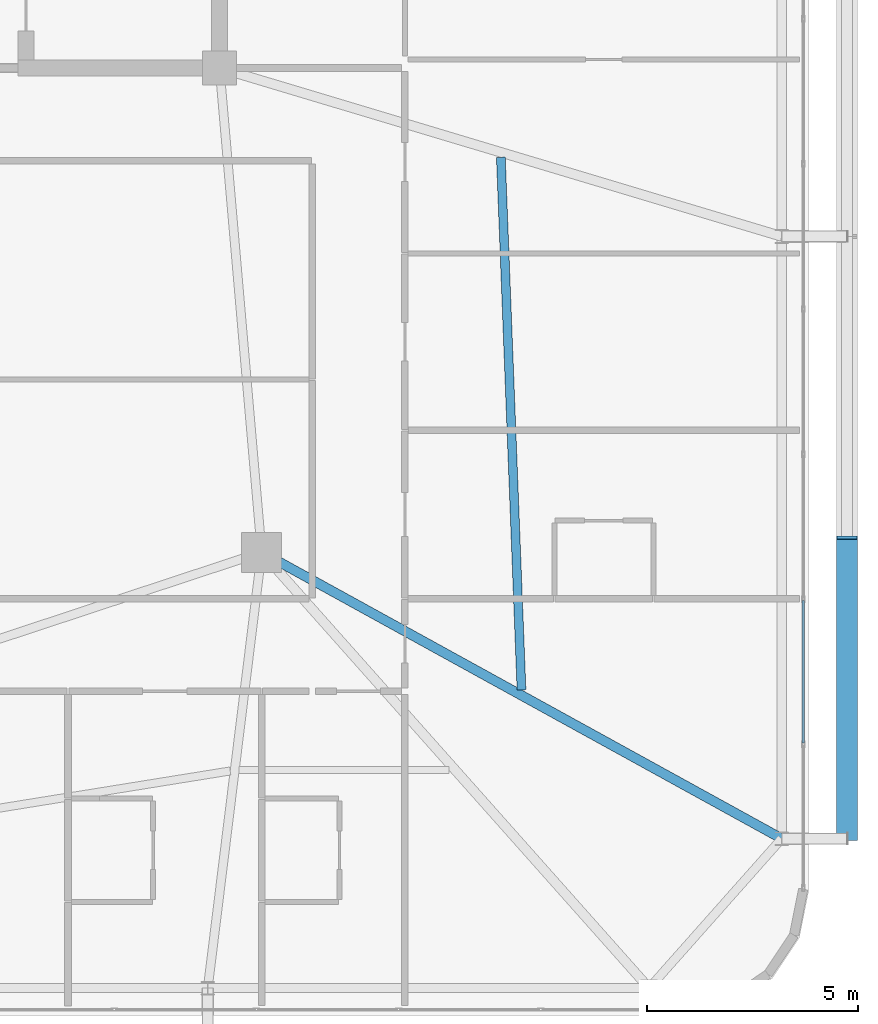
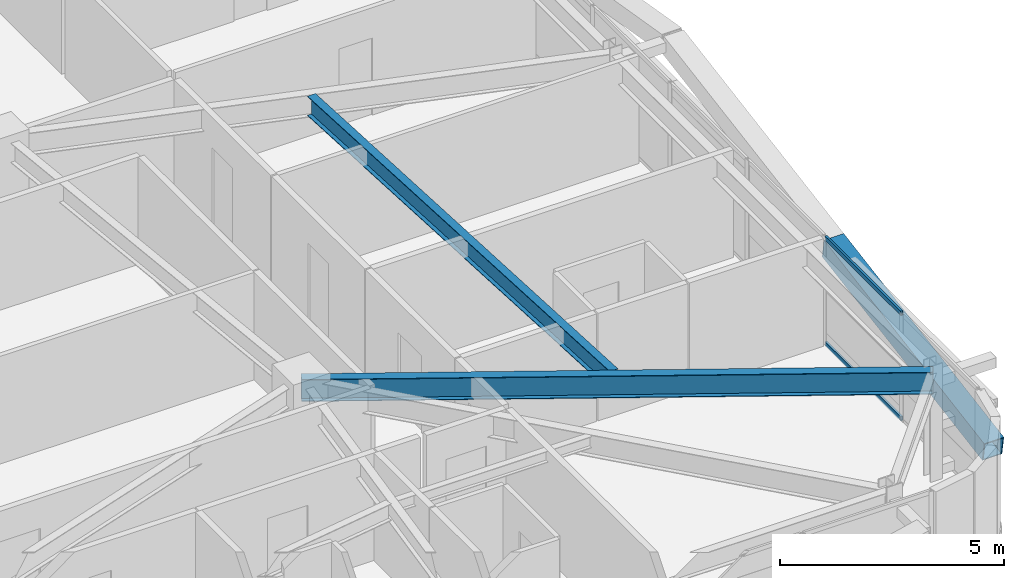
# One storey, part 25 of 59: 3 members, 2 beams, 1 element without a shape of its own.
"""IFC4 building model written with IfcOpenShell, lengths in metres."""

from ifc_helpers import new_model, si_unit, direction, frame, origin, origin_2d, place, context, subcontext, project, spatial, hollow_rectangle, i_section, extrude, source, transform, mapped, material, layer, layer_set, material_profile, profile_set, type_object, element, aggregate, save


model = new_model("IFC4")

# Units and contexts
model_context = context("Model", 3, precision=1e-05, world=origin(), true_north=direction((0.0, 1.0)))
body_context = subcontext(model_context, "Body", "Model", "MODEL_VIEW")
ifc_project = project(units=[si_unit("LENGTHUNIT", "METRE"), si_unit("AREAUNIT", "SQUARE_METRE"), si_unit("VOLUMEUNIT", "CUBIC_METRE"), si_unit("PLANEANGLEUNIT", "RADIAN"), si_unit("MASSUNIT", "GRAM", prefix="KILO")], contexts=[model_context])

# Site, building, storey
site_placement = place(None, origin())
site = spatial("IfcSite", under=ifc_project, at=site_placement, CompositionType="ELEMENT")
building_placement = place(site_placement, origin())
building = spatial("IfcBuilding", under=site, at=building_placement, Name="Taldren Reach Tower", CompositionType="ELEMENT")
storey_placement = place(building_placement, frame((0.0, 0.0, 23.10009765625)))
storey = spatial("IfcBuildingStorey", under=building, at=storey_placement, Name="L06", CompositionType="ELEMENT", Elevation=23.10009765625)

# Beams
ifc_material_1 = material(Name="Steel Gr 350 (350PLUS)", Category="steel")
ifc_material_profile_1 = material_profile(ifc_material_1, i_section(OverallWidth=0.22802734375, OverallDepth=0.60205078125, WebThickness=0.010498046875, FlangeThickness=0.014892578125, at=origin_2d()), Name="610UB101")
ifc_profile_set_1 = profile_set([ifc_material_profile_1], Name="Steel Gr 350 (350PLUS)")
beam_type_1 = type_object("IfcBeamType", Name="BM-UB610B", PredefinedType="BEAM", material=ifc_profile_set_1)
shared_shape_1 = source(origin(), body_context, "Body", "SweptSolid", [
    extrude(i_section(OverallWidth=0.22802734375, OverallDepth=0.60205078125, WebThickness=0.010498046875, FlangeThickness=0.014892578125, at=origin_2d()), origin(), (0.0, 0.0, 1.0), 14.098388671875),
])
beam_1_placement = place(storey_placement, frame((52.0, 12.5, 2.62890625), z_axis=(0.875991325783, -0.482326857175, 0.0), x_axis=(0.482326857175, 0.875991325783, 0.0)))
element("IfcBeam", 1, at=beam_1_placement, inside=storey, type_object=beam_type_1, Name="Primary floor girder B1-E1 L06", PredefinedType="BEAM", context=body_context, shape_type="MappedRepresentation", body=[
    mapped(shared_shape_1, transform((0.0, 0.0, 0.0), scale=1.0)),
])
ifc_material_profile_2 = material_profile(ifc_material_1, i_section(OverallWidth=0.208984375, OverallDepth=0.532958984375, WebThickness=0.01025390625, FlangeThickness=0.015625, at=origin_2d()), Name="530UB92.4")
ifc_profile_set_2 = profile_set([ifc_material_profile_2], Name="Steel Gr 350 (350PLUS)")
beam_type_2 = type_object("IfcBeamType", Name="BM-UB530A", PredefinedType="BEAM", material=ifc_profile_set_2)
shared_shape_2 = source(origin(), body_context, "Body", "SweptSolid", [
    extrude(i_section(OverallWidth=0.208984375, OverallDepth=0.532958984375, WebThickness=0.01025390625, FlangeThickness=0.015625, at=origin_2d()), origin(), (0.0, 0.0, 1.0), 12.65625),
])
beam_2_placement = place(storey_placement, frame((58.169921875, 9.23291015625, 2.663330078125), z_axis=(-0.0387346395, 0.99924953225, 0.0), x_axis=(-0.99924953225, -0.0387346395, 0.0)))
element("IfcBeam", 2, at=beam_2_placement, inside=storey, type_object=beam_type_2, Name="Secondary floor beam B1 J7 L06", PredefinedType="BEAM", context=body_context, shape_type="MappedRepresentation", body=[
    mapped(shared_shape_2, transform((0.0, 0.0, 0.0), scale=1.0)),
])

# Member
ifc_material_2 = material(Name="Steel Gr 450 (C450L0)", Category="steel")
ifc_material_profile_3 = material_profile(ifc_material_2, hollow_rectangle(XDim=0.510009765625, YDim=0.510009765625, WallThickness=0.02001953125, at=origin_2d()), Name="510x510x20.0SHS")
ifc_profile_set_3 = profile_set([ifc_material_profile_3], Name="Steel Gr 450 (C450L0)")
member_type_1 = type_object("IfcMemberType", Name="MB-EXO508", PredefinedType="BRACE", material=ifc_profile_set_3)
shared_shape_3 = source(origin(), body_context, "Body", "SweptSolid", [
    extrude(hollow_rectangle(XDim=0.510009765625, YDim=0.510009765625, WallThickness=0.02001953125, at=origin_2d()), origin(), (0.0, 0.0, 1.0), 7.252685546875),
])
member_1_placement = place(storey_placement, frame((65.89990234375, 5.699951171875, 0.219970703125), z_axis=(0.0, 0.985871360071, 0.167504213054), x_axis=(-1.0, 0.0, 0.0)))
element("IfcMember", 3, at=member_1_placement, inside=storey, type_object=member_type_1, Name="Exoskeleton Diagrid Brace B1-E1 L06", PredefinedType="BRACE", context=body_context, shape_type="MappedRepresentation", body=[
    mapped(shared_shape_3, transform((0.0, 0.0, 0.0), scale=1.0)),
])

# Curtain wall, members
ifc_material_3 = material(Name="Aluminium and Low-E Glass Unitised System", Category="aluminium")
ifc_layer = layer(ifc_material_3, 0.159912109375)
ifc_layer_set = layer_set([ifc_layer], Name="Aluminium and Low-E Glass Unitised System")
curtain_wall_type = type_object("IfcCurtainWallType", Name="CW-SYS-2", PredefinedType="NOTDEFINED", material=ifc_layer_set)
curtain_wall_placement = place(storey_placement, origin())
curtain_wall = element("IfcCurtainWall", 4, at=curtain_wall_placement, inside=storey, type_object=curtain_wall_type, Name="Unitised curtain wall CW-L06-E", PredefinedType="NOTDEFINED")
ifc_material_4 = material(Name="Anodised Aluminium 6063-T6", Category="aluminium")
ifc_material_profile_4 = material_profile(ifc_material_4, hollow_rectangle(XDim=0.054931640625, YDim=0.1201171875, WallThickness=0.0029296875, at=origin_2d()), Name="ALU-120x55x3RHS")
ifc_profile_set_4 = profile_set([ifc_material_profile_4], Name="Anodised Aluminium 6063-T6")
member_type_2 = type_object("IfcMemberType", Name="CW-TRN-135", PredefinedType="USERDEFINED", material=ifc_profile_set_4)
shared_shape_4 = source(origin(), body_context, "Body", "SweptSolid", [
    extrude(hollow_rectangle(XDim=0.054931640625, YDim=0.1201171875, WallThickness=0.0029296875, at=origin_2d()), origin(), (0.0, 0.0, 1.0), 3.37939453125),
])
member_2_placement = place(storey_placement, frame((64.860107421875, 7.97705078125, 0.02734375), z_axis=(0.0, 1.0, 0.0), x_axis=(-1.0, 0.0, 0.0)))
member_2 = element("IfcMember", 5, at=member_2_placement, type_object=member_type_2, Name="CW-2 transom 2.1", ObjectType="TRANSOM", PredefinedType="USERDEFINED", context=body_context, shape_type="MappedRepresentation", body=[
    mapped(shared_shape_4, transform((0.0, 0.0, 0.0), scale=1.0)),
])
member_3_placement = place(storey_placement, frame((64.860107421875, 7.97705078125, 2.90234375), z_axis=(0.0, 1.0, 0.0), x_axis=(-1.0, 0.0, 0.0)))
member_3 = element("IfcMember", 6, at=member_3_placement, type_object=member_type_2, Name="CW-2 transom 2.2", ObjectType="TRANSOM", PredefinedType="USERDEFINED", context=body_context, shape_type="MappedRepresentation", body=[
    mapped(shared_shape_4, transform((0.0, 0.0, 0.0), scale=1.0)),
])
aggregate(curtain_wall, [member_2, member_3])

save(model, "model.ifc")
